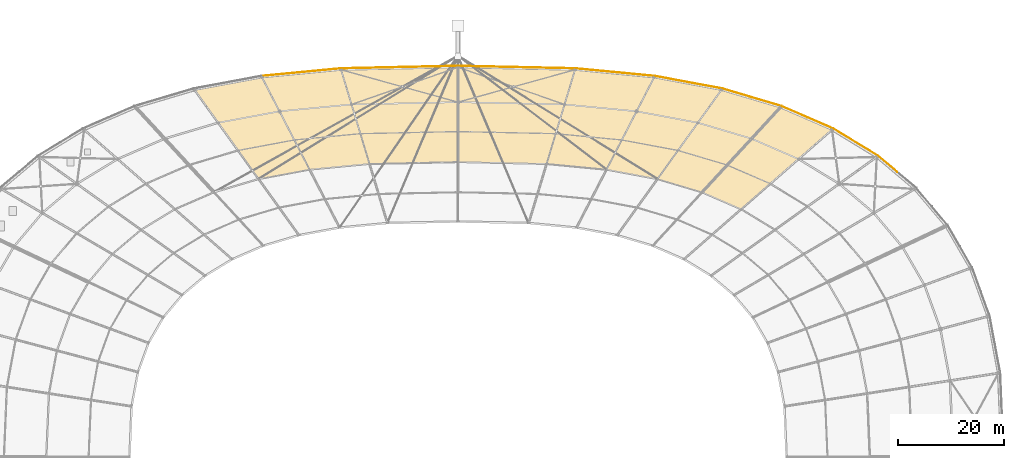
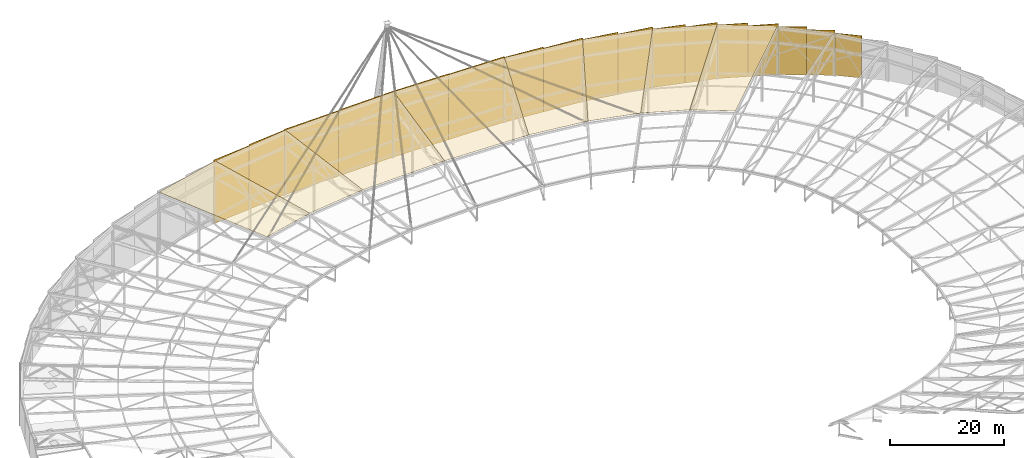
# One storey, part 143 of 143: 25 coverings.
"""IFC4 building model written with IfcOpenShell, lengths in metres."""

from ifc_helpers import new_model, si_unit, direction, frame, origin, origin_2d, place, context, subcontext, project, spatial, polyline, rectangle, outline, extrude, material, layer, layer_set, type_object, element, save


model = new_model("IFC4")

# Units and contexts
model_context = context("Model", 3, precision=1e-05, world=origin(), true_north=direction((0.0, 1.0)))
body_context = subcontext(model_context, "Body", "Model", "MODEL_VIEW")
ifc_project = project(units=[si_unit("LENGTHUNIT", "METRE"), si_unit("AREAUNIT", "SQUARE_METRE"), si_unit("VOLUMEUNIT", "CUBIC_METRE"), si_unit("PLANEANGLEUNIT", "RADIAN"), si_unit("MASSUNIT", "GRAM", prefix="KILO")], contexts=[model_context])

# Site, building, storey
site_placement = place(None, origin())
site = spatial("IfcSite", under=ifc_project, at=site_placement, CompositionType="ELEMENT")
building_placement = place(site_placement, origin())
building = spatial("IfcBuilding", under=site, at=building_placement, Name="Mphavela Belvedere Stadium", CompositionType="ELEMENT")
storey_placement = place(building_placement, frame((0.0, 0.0, 28.800048828125)))
storey = spatial("IfcBuildingStorey", under=building, at=storey_placement, Name="RF", CompositionType="ELEMENT", Elevation=28.800048828125)

# Coverings
ifc_material_1 = material(Name="Carved classical limestone entablature frieze cladding", Category="masonry")
ifc_layer_1 = layer(ifc_material_1, 0.06005859375)
ifc_layer_set_1 = layer_set([ifc_layer_1], Name="Carved classical limestone entablature frieze cladding")
covering_type_1 = type_object("IfcCoveringType", Name="COV-FRIEZE-CLAD", PredefinedType="CLADDING", material=ifc_layer_set_1)
covering_1_placement = place(storey_placement, frame((196.22607421875, 142.38671875, 0.0), z_axis=(0.0, 0.0, 1.0), x_axis=(-0.764246456939, 0.644924300253, 0.0)))
element("IfcCovering", 1, at=covering_1_placement, inside=storey, type_object=covering_type_1, Name="Classical perforated limestone roof attic screen 06-2", PredefinedType="CLADDING", context=body_context, shape_type="SweptSolid", body=[
    extrude(rectangle(XDim=4.755126953125, YDim=0.080078125, at=origin_2d()), origin(), (0.0, 0.0, 1.0), 9.00537109375),
])
covering_2_placement = place(storey_placement, frame((192.30224609375, 145.197998046875, 0.0), z_axis=(0.0, 0.0, 1.0), x_axis=(-0.854368143929, 0.519668235165, 0.0)))
element("IfcCovering", 2, at=covering_2_placement, inside=storey, type_object=covering_type_1, Name="Classical perforated limestone roof attic screen 07-1", PredefinedType="CLADDING", context=body_context, shape_type="SweptSolid", body=[
    extrude(rectangle(XDim=5.0078125, YDim=0.080078125, at=origin_2d()), origin(), (0.0, 0.0, 1.0), 9.626708984375),
])
covering_3_placement = place(storey_placement, frame((188.058349609375, 147.780029296875, 0.0), z_axis=(0.0, 0.0, 1.0), x_axis=(-0.854368143929, 0.519668235165, 0.0)))
element("IfcCovering", 3, at=covering_3_placement, inside=storey, type_object=covering_type_1, Name="Classical perforated limestone roof attic screen 07-2", PredefinedType="CLADDING", context=body_context, shape_type="SweptSolid", body=[
    extrude(rectangle(XDim=5.0078125, YDim=0.080078125, at=origin_2d()), origin(), (0.0, 0.0, 1.0), 10.247802734375),
])
covering_4_placement = place(storey_placement, frame((183.48828125, 150.132080078125, 0.0), z_axis=(0.0, 0.0, 1.0), x_axis=(-0.917477140523, 0.397788507398, 0.0)))
element("IfcCovering", 4, at=covering_4_placement, inside=storey, type_object=covering_type_1, Name="Classical perforated limestone roof attic screen 08-1", PredefinedType="CLADDING", context=body_context, shape_type="SweptSolid", body=[
    extrude(rectangle(XDim=5.376220703125, YDim=0.080078125, at=origin_2d()), origin(), (0.0, 0.0, 1.0), 10.84765625),
])
covering_5_placement = place(storey_placement, frame((178.59228515625, 152.25439453125, 0.0), z_axis=(0.0, 0.0, 1.0), x_axis=(-0.917477140523, 0.397788507398, 0.0)))
element("IfcCovering", 5, at=covering_5_placement, inside=storey, type_object=covering_type_1, Name="Classical perforated limestone roof attic screen 08-2", PredefinedType="CLADDING", context=body_context, shape_type="SweptSolid", body=[
    extrude(rectangle(XDim=5.376220703125, YDim=0.080078125, at=origin_2d()), origin(), (0.0, 0.0, 1.0), 11.426513671875),
])
covering_6_placement = place(storey_placement, frame((173.35107421875, 154.14501953125, 0.0), z_axis=(0.0, 0.0, 1.0), x_axis=(-0.958670893355, 0.284517342588, 0.0)))
element("IfcCovering", 6, at=covering_6_placement, inside=storey, type_object=covering_type_1, Name="Classical perforated limestone roof attic screen 09-1", PredefinedType="CLADDING", context=body_context, shape_type="SweptSolid", body=[
    extrude(rectangle(XDim=5.867919921875, YDim=0.080078125, at=origin_2d()), origin(), (0.0, 0.0, 1.0), 11.964599609375),
])
covering_7_placement = place(storey_placement, frame((167.763916015625, 155.80322265625, 0.0), z_axis=(0.0, 0.0, 1.0), x_axis=(-0.958670893355, 0.284517342588, 0.0)))
element("IfcCovering", 7, at=covering_7_placement, inside=storey, type_object=covering_type_1, Name="Classical perforated limestone roof attic screen 09-2", PredefinedType="CLADDING", context=body_context, shape_type="SweptSolid", body=[
    extrude(rectangle(XDim=5.867919921875, YDim=0.080078125, at=origin_2d()), origin(), (0.0, 0.0, 1.0), 12.461669921875),
])
covering_8_placement = place(storey_placement, frame((161.77734375, 157.227294921875, 0.0), z_axis=(0.0, 0.0, 1.0), x_axis=(-0.983095502692, 0.183093507769, 0.0)))
element("IfcCovering", 8, at=covering_8_placement, inside=storey, type_object=covering_type_1, Name="Classical perforated limestone roof attic screen 10-1", PredefinedType="CLADDING", context=body_context, shape_type="SweptSolid", body=[
    extrude(rectangle(XDim=6.53564453125, YDim=0.080078125, at=origin_2d()), origin(), (0.0, 0.0, 1.0), 12.90087890625),
])
covering_9_placement = place(storey_placement, frame((155.3916015625, 158.41650390625, 0.0), z_axis=(0.0, 0.0, 1.0), x_axis=(-0.983095502692, 0.183093507769, 0.0)))
element("IfcCovering", 9, at=covering_9_placement, inside=storey, type_object=covering_type_1, Name="Classical perforated limestone roof attic screen 10-2", PredefinedType="CLADDING", context=body_context, shape_type="SweptSolid", body=[
    extrude(rectangle(XDim=6.53564453125, YDim=0.080078125, at=origin_2d()), origin(), (0.0, 0.0, 1.0), 13.2822265625),
])
covering_10_placement = place(storey_placement, frame((148.446533203125, 159.368896484375, 0.0), z_axis=(0.0, 0.0, 1.0), x_axis=(-0.995479460536, 0.094977069084, 0.0)))
element("IfcCovering", 10, at=covering_10_placement, inside=storey, type_object=covering_type_1, Name="Classical perforated limestone roof attic screen 11-1", PredefinedType="CLADDING", context=body_context, shape_type="SweptSolid", body=[
    extrude(rectangle(XDim=7.57861328125, YDim=0.080078125, at=origin_2d()), origin(), (0.0, 0.0, 1.0), 13.5927734375),
])
covering_11_placement = place(storey_placement, frame((140.94189453125, 160.084716796875, 0.0), z_axis=(0.0, 0.0, 1.0), x_axis=(-0.995479460536, 0.094977069084, 0.0)))
element("IfcCovering", 11, at=covering_11_placement, inside=storey, type_object=covering_type_1, Name="Classical perforated limestone roof attic screen 11-2", PredefinedType="CLADDING", context=body_context, shape_type="SweptSolid", body=[
    extrude(rectangle(XDim=7.57861328125, YDim=0.080078125, at=origin_2d()), origin(), (0.0, 0.0, 1.0), 13.83251953125),
])
covering_12_placement = place(storey_placement, frame((131.64208984375, 160.561767578125, 0.0), z_axis=(0.0, 0.0, 1.0), x_axis=(-0.999769581002, 0.02146590093, 0.0)))
element("IfcCovering", 12, at=covering_12_placement, inside=storey, type_object=covering_type_1, Name="Classical perforated limestone roof attic screen 12-1", PredefinedType="CLADDING", context=body_context, shape_type="SweptSolid", body=[
    extrude(rectangle(XDim=11.137451171875, YDim=0.080078125, at=origin_2d()), origin(), (0.0, 0.0, 1.0), 13.993408203125),
])
for number, where, z_axis, x_axis, name in (
    (13, (120.54736328125, 160.80078125, 0.0), (0.0, 0.0, 1.0), (-0.999769581002, 0.02146590093, 0.0), "Classical perforated limestone roof attic screen 12-2"),
    (14, (109.45263671875, 160.80078125, 0.0), (0.0, 0.0, 1.0), (-0.999769581002, -0.02146590093, 0.0), "Classical perforated limestone roof attic screen 13-1"),
):
    element("IfcCovering", number, at=place(storey_placement, frame(where, z_axis=z_axis, x_axis=x_axis)), inside=storey, type_object=covering_type_1, Name=name, PredefinedType="CLADDING", context=body_context, shape_type="SweptSolid", body=[
        extrude(rectangle(XDim=11.137451171875, YDim=0.080078125, at=origin_2d()), origin(), (0.0, 0.0, 1.0), 14.0751953125),
    ])
covering_13_placement = place(storey_placement, frame((98.357666015625, 160.561767578125, 0.0), z_axis=(0.0, 0.0, 1.0), x_axis=(-0.999769581002, -0.02146590093, 0.0)))
element("IfcCovering", 15, at=covering_13_placement, inside=storey, type_object=covering_type_1, Name="Classical perforated limestone roof attic screen 13-2", PredefinedType="CLADDING", context=body_context, shape_type="SweptSolid", body=[
    extrude(rectangle(XDim=11.137451171875, YDim=0.080078125, at=origin_2d()), origin(), (0.0, 0.0, 1.0), 13.993408203125),
])
covering_14_placement = place(storey_placement, frame((89.05810546875, 160.084716796875, 0.0), z_axis=(0.0, 0.0, 1.0), x_axis=(-0.995479460536, -0.094977069084, 0.0)))
element("IfcCovering", 16, at=covering_14_placement, inside=storey, type_object=covering_type_1, Name="Classical perforated limestone roof attic screen 14-1", PredefinedType="CLADDING", context=body_context, shape_type="SweptSolid", body=[
    extrude(rectangle(XDim=7.57861328125, YDim=0.080078125, at=origin_2d()), origin(), (0.0, 0.0, 1.0), 13.83251953125),
])
covering_15_placement = place(storey_placement, frame((81.553466796875, 159.368896484375, 0.0), z_axis=(0.0, 0.0, 1.0), x_axis=(-0.995479460536, -0.094977069084, 0.0)))
element("IfcCovering", 17, at=covering_15_placement, inside=storey, type_object=covering_type_1, Name="Classical perforated limestone roof attic screen 14-2", PredefinedType="CLADDING", context=body_context, shape_type="SweptSolid", body=[
    extrude(rectangle(XDim=7.57861328125, YDim=0.080078125, at=origin_2d()), origin(), (0.0, 0.0, 1.0), 13.5927734375),
])
ifc_material_2 = material(Name="Translucent polycarbonate roof panel")
ifc_layer_2 = layer(ifc_material_2, 0.0400390625)
ifc_layer_set_2 = layer_set([ifc_layer_2], Name="Translucent polycarbonate roof panel")
covering_type_2 = type_object("IfcCoveringType", Name="COV-ROOF-POLY", PredefinedType="ROOFING", material=ifc_layer_set_2)
covering_16_placement = place(storey_placement, frame((168.5224609375, 133.83349609375, 7.5595703125), z_axis=(0.020202543556, -0.220281385412, 0.975227136863), x_axis=(-0.912119169022, 0.395386554404, 0.108203946782)))
element("IfcCovering", 18, at=covering_16_placement, inside=storey, type_object=covering_type_2, Name="Saddle canopy UV polycarbonate covering 08-2", PredefinedType="ROOFING", context=body_context, shape_type="SweptSolid", body=[
    extrude(outline(polyline([(0.0, 0.0), (8.100020332656722, -2.220446049250313e-16), (1.3049359001734622, -21.01790024660058), (-9.39418244809289, -21.01769973290086), (0.0, 0.0)])), origin(), (0.0, 0.0, -1.0), 0.0400390625),
])
covering_17_placement = place(storey_placement, frame((161.13427734375, 137.0361328125, 8.43603515625), z_axis=(0.02135179677, -0.221287117416, 0.974974929134), x_axis=(-0.955164929305, 0.283529569935, 0.085269811767)))
element("IfcCovering", 19, at=covering_17_placement, inside=storey, type_object=covering_type_2, Name="Saddle canopy UV polycarbonate covering 09-2", PredefinedType="ROOFING", context=body_context, shape_type="SweptSolid", body=[
    extrude(outline(polyline([(0.0, 0.0), (8.82690774406509, 4.163336342344337e-16), (2.3546392311342843, -20.03384431213435), (-9.304321251224287, -20.033844096290373), (0.0, 0.0)])), origin(), (0.0, 0.0, -1.0), 0.0400390625),
])
covering_18_placement = place(storey_placement, frame((152.703125, 139.538818359375, 9.188720703125), z_axis=(0.017728133813, -0.218818356617, 0.975604551075), x_axis=(-0.981392714147, 0.18277733663, 0.058828444091)))
element("IfcCovering", 20, at=covering_18_placement, inside=storey, type_object=covering_type_2, Name="Saddle canopy UV polycarbonate covering 10-2", PredefinedType="ROOFING", context=body_context, shape_type="SweptSolid", body=[
    extrude(outline(polyline([(0.0, 0.0), (9.81893425968205, -2.498001805406602e-16), (4.387565532879385, -19.22449784387735), (-8.582237834766785, -19.224733323874474), (0.0, 0.0)])), origin(), (0.0, 0.0, -1.0), 0.0400390625),
])
covering_19_placement = place(storey_placement, frame((143.06689453125, 141.33349609375, 9.766357421875), z_axis=(0.01075163302, -0.215405210828, 0.976465563927), x_axis=(-0.994978615076, 0.094873342491, 0.031884234758)))
element("IfcCovering", 21, at=covering_19_placement, inside=storey, type_object=covering_type_2, Name="Saddle canopy UV polycarbonate covering 11-2", PredefinedType="ROOFING", context=body_context, shape_type="SweptSolid", body=[
    extrude(outline(polyline([(0.0, 0.0), (11.381613239010411, -8.326672684688674e-17), (7.846593059561644, -18.63959546570784), (-7.187174114346761, -18.63935652953463), (0.0, 0.0)])), origin(), (0.0, 0.0, -1.0), 0.0400390625),
])
covering_20_placement = place(storey_placement, frame((131.742431640625, 142.413330078125, 10.129150390625), z_axis=(0.002644772133, -0.213078371412, 0.977031531127), x_axis=(-0.999741055886, 0.021519099627, 0.007399292405)))
element("IfcCovering", 22, at=covering_20_placement, inside=storey, type_object=covering_type_2, Name="Saddle canopy UV polycarbonate covering 12-2", PredefinedType="ROOFING", context=body_context, shape_type="SweptSolid", body=[
    extrude(outline(polyline([(0.0, 0.0), (16.74676841334335, -3.469446951953614e-18), (17.160757585296146, -18.312185160259478), (-4.959472969721612, -18.312141181608617), (0.0, 0.0)])), origin(), (0.0, 0.0, -1.0), 0.0400390625),
])
covering_21_placement = place(storey_placement, frame((115.0, 142.773681640625, 10.253173828125), z_axis=(-0.002644772133, -0.213078371412, 0.977031531127), x_axis=(-0.999741055886, -0.021519099627, -0.007399292405)))
element("IfcCovering", 23, at=covering_21_placement, inside=storey, type_object=covering_type_2, Name="Saddle canopy UV polycarbonate covering 13-2", PredefinedType="ROOFING", context=body_context, shape_type="SweptSolid", body=[
    extrude(outline(polyline([(0.0, 0.0), (16.74676841334335, 3.469446951953614e-18), (21.706241383064963, -18.312141181608617), (-0.41398917195279805, -18.312185160259475), (0.0, 0.0)])), origin(), (0.0, 0.0, -1.0), 0.0400390625),
])
covering_22_placement = place(storey_placement, frame((98.257568359375, 142.413330078125, 10.129150390625), z_axis=(-0.01075163302, -0.215405210828, 0.976465563927), x_axis=(-0.994978615076, -0.094873342491, -0.031884234758)))
element("IfcCovering", 24, at=covering_22_placement, inside=storey, type_object=covering_type_2, Name="Saddle canopy UV polycarbonate covering 14-2", PredefinedType="ROOFING", context=body_context, shape_type="SweptSolid", body=[
    extrude(outline(polyline([(0.0, 0.0), (11.381613239010411, 8.326672684688674e-17), (18.568787353357173, -18.63935652953463), (3.5350201794487672, -18.639595465707835), (0.0, 0.0)])), origin(), (0.0, 0.0, -1.0), 0.0400390625),
])
covering_23_placement = place(storey_placement, frame((86.93310546875, 141.33349609375, 9.766357421875), z_axis=(-0.017728133813, -0.218818356617, 0.975604551075), x_axis=(-0.981392714147, -0.18277733663, -0.058828444091)))
element("IfcCovering", 25, at=covering_23_placement, inside=storey, type_object=covering_type_2, Name="Saddle canopy UV polycarbonate covering 15-2", PredefinedType="ROOFING", context=body_context, shape_type="SweptSolid", body=[
    extrude(outline(polyline([(0.0, 0.0), (9.81893425968205, 2.498001805406602e-16), (18.40117209444884, -19.224733323874474), (5.431368726802666, -19.224497843877355), (0.0, 0.0)])), origin(), (0.0, 0.0, -1.0), 0.0400390625),
])

save(model, "model.ifc")
